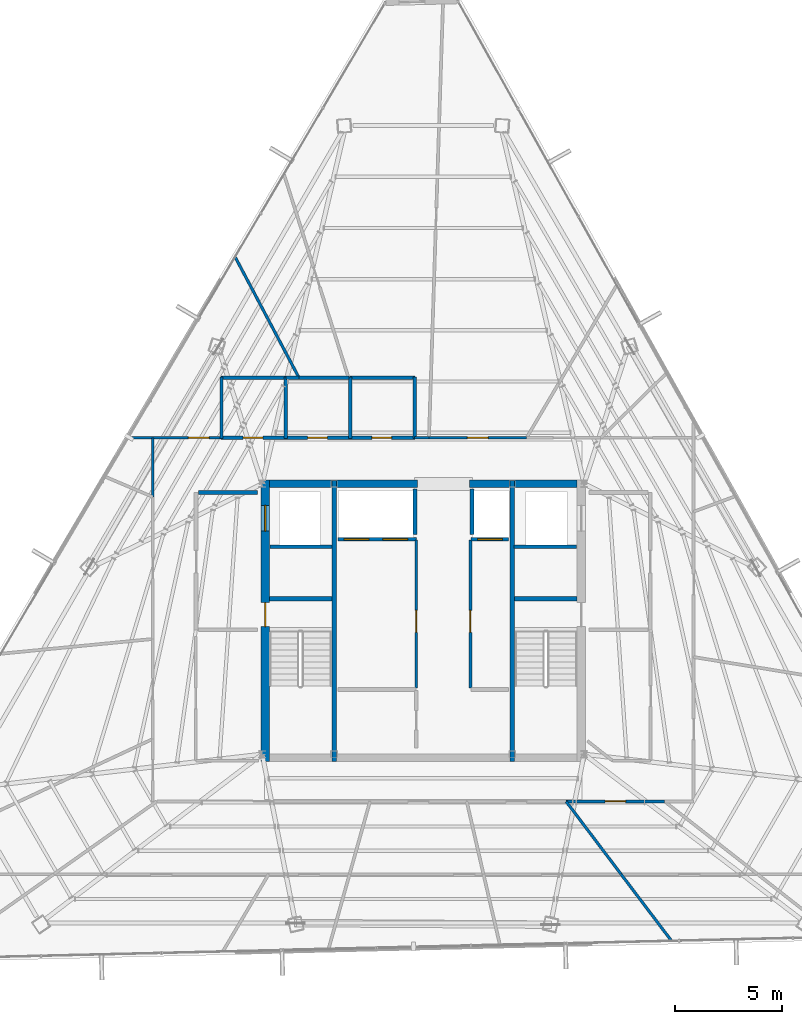
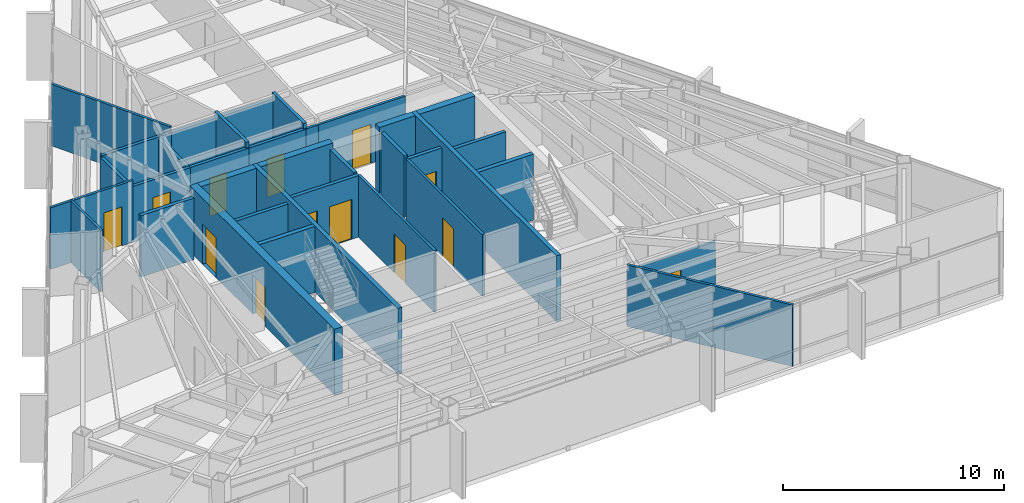
# One storey, part 41 of 45: 37 walls, 13 doors, 13 openings.
"""IFC4 building model written with IfcOpenShell, lengths in metres."""

from ifc_helpers import new_model, si_unit, direction, frame, frame_2d, origin, place, context, subcontext, project, spatial, rectangle, extrude, material, layer, layer_set, type_object, element, fill, save


model = new_model("IFC4")

# Units and contexts
model_context = context("Model", 3, precision=1e-05, world=origin(), true_north=direction((0.0, 1.0)))
body_context = subcontext(model_context, "Body", "Model", "MODEL_VIEW")
ifc_project = project(units=[si_unit("LENGTHUNIT", "METRE"), si_unit("AREAUNIT", "SQUARE_METRE"), si_unit("VOLUMEUNIT", "CUBIC_METRE"), si_unit("PLANEANGLEUNIT", "RADIAN"), si_unit("MASSUNIT", "GRAM", prefix="KILO")], contexts=[model_context])

# Site, building, storey
site_placement = place(None, origin())
site = spatial("IfcSite", under=ifc_project, at=site_placement, CompositionType="ELEMENT")
building_placement = place(site_placement, origin())
building = spatial("IfcBuilding", under=site, at=building_placement, Name="Caelisora Broadcast Tower", CompositionType="ELEMENT")
storey_placement = place(building_placement, frame((0.0, 0.0, 262.699951171875)))
storey = spatial("IfcBuildingStorey", under=building, at=storey_placement, Name="L69", CompositionType="ELEMENT", Elevation=262.699951171875)

# Wall, openings, doors
ifc_material_1 = material(Name="Concrete 40 MPa (AS 3600 N40)", Category="concrete")
ifc_layer_1 = layer(ifc_material_1, 0.39990234375, Name="Concrete 40 MPa (AS 3600 N40)")
ifc_layer_set_1 = layer_set([ifc_layer_1], Name="Concrete 40 MPa (AS 3600 N40)")
wall_type_1 = type_object("IfcWallType", Name="CW3", PredefinedType="SHEAR", material=ifc_layer_set_1)
wall_1_placement = place(storey_placement, frame((30.639892578125, 17.050048828125, 0.0), z_axis=(0.0, 0.0, 1.0), x_axis=(0.0, 1.0, 0.0)))
wall_1 = element("IfcWall", 1, at=wall_1_placement, inside=storey, type_object=wall_type_1, Name="L69 core shear wall CW3", PredefinedType="SHEAR", context=body_context, shape_type="SweptSolid", body=[
    extrude(rectangle(XDim=13.125, YDim=0.39990234375, at=frame_2d((6.5625, 0.0))), origin(), (0.0, 0.0, 1.0), 3.650146484375),
])
opening_1_placement = place(wall_1_placement, frame((6.300048828125, 0.0, 0.0)))
opening_1 = element("IfcOpeningElement", 2, at=opening_1_placement, cuts=wall_1, Name="Opening FD04", PredefinedType="OPENING", context=body_context, shape_type="SweptSolid", body=[
    extrude(rectangle(XDim=1.1201171875, YDim=2.14990234375, at=frame_2d((0.56005859375, 1.074951171875))), frame((0.0, 0.2119140625, 0.0), z_axis=(0.0, -1.0, 0.0), x_axis=(1.0, 0.0, 0.0)), (0.0, 0.0, 1.0), 0.423828125),
])
opening_2_placement = place(wall_1_placement, frame((10.75, 0.0, 0.0)))
opening_2 = element("IfcOpeningElement", 3, at=opening_2_placement, cuts=wall_1, Name="Opening LD04", PredefinedType="OPENING", context=body_context, shape_type="SweptSolid", body=[
    extrude(rectangle(XDim=1.199951171875, YDim=2.199951171875, at=frame_2d((0.60009765625, 1.10009765625))), frame((0.0, 0.2119140625, 0.0), z_axis=(0.0, -1.0, 0.0), x_axis=(1.0, 0.0, 0.0)), (0.0, 0.0, 1.0), 0.423828125),
])
ifc_material_2 = material(Name="Pressurised Fire-Isolated Stair Door", Category="steel")
door_type_1 = type_object("IfcDoorType", Name="FD04", OperationType="NOTDEFINED", PredefinedType="DOOR", material=ifc_material_2)
door_1_placement = place(opening_1_placement, origin())
door_1 = element("IfcDoor", 4, at=door_1_placement, inside=storey, type_object=door_type_1, Name="L69 door FD04 (L69-DR-ST1)", OperationType="SINGLE_SWING_LEFT", OverallHeight=2.14990234375, OverallWidth=1.1201171875, PredefinedType="DOOR", context=body_context, shape_type="SweptSolid", body=[
    extrude(rectangle(XDim=1.1201171875, YDim=2.14990234375, at=frame_2d((0.56005859375, 1.074951171875))), frame((0.0, 0.02490234375, 0.0), z_axis=(0.0, -1.0, 0.0), x_axis=(1.0, 0.0, 0.0)), (0.0, 0.0, 1.0), 0.050048828125),
])
fill(opening_1, door_1)
ifc_material_3 = material(Name="Emergency Firefighting Lift Sliding Landing Door", Category="steel")
door_type_2 = type_object("IfcDoorType", Name="LD04", OperationType="NOTDEFINED", PredefinedType="DOOR", material=ifc_material_3)
door_2_placement = place(opening_2_placement, origin())
door_2 = element("IfcDoor", 5, at=door_2_placement, inside=storey, type_object=door_type_2, Name="L69 door LD04 (L69-LD-FFL1)", OperationType="SLIDING_TO_LEFT", OverallHeight=2.199951171875, OverallWidth=1.199951171875, PredefinedType="DOOR", context=body_context, shape_type="SweptSolid", body=[
    extrude(rectangle(XDim=1.199951171875, YDim=2.199951171875, at=frame_2d((0.60009765625, 1.10009765625))), frame((0.0, 0.02490234375, 0.0), z_axis=(0.0, -1.0, 0.0), x_axis=(1.0, 0.0, 0.0)), (0.0, 0.0, 1.0), 0.050048828125),
])
fill(opening_2, door_2)

# Walls
ifc_layer_2 = layer(ifc_material_1, 0.35009765625, Name="Concrete 40 MPa (AS 3600 N40)")
ifc_layer_set_2 = layer_set([ifc_layer_2], Name="Concrete 40 MPa (AS 3600 N40)")
wall_type_2 = type_object("IfcWallType", Name="CW6", PredefinedType="SHEAR", material=ifc_layer_set_2)
wall_2_placement = place(storey_placement, frame((30.840087890625, 30.0, 0.0), z_axis=(0.0, 0.0, 1.0), x_axis=(1.0, 0.0, 0.0)))
element("IfcWall", 6, at=wall_2_placement, inside=storey, type_object=wall_type_2, Name="L69 core shear wall CW6", PredefinedType="SHEAR", context=body_context, shape_type="SweptSolid", body=[
    extrude(rectangle(XDim=2.89990234375, YDim=0.35009765625, at=frame_2d((1.449951171875, 0.0))), origin(), (0.0, 0.0, 1.0), 3.650146484375),
])
wall_3_placement = place(storey_placement, frame((33.9599609375, 30.0, 0.0), z_axis=(0.0, 0.0, 1.0), x_axis=(1.0, 0.0, 0.0)))
element("IfcWall", 7, at=wall_3_placement, inside=storey, type_object=wall_type_2, Name="L69 core shear wall CW6", PredefinedType="SHEAR", context=body_context, shape_type="SweptSolid", body=[
    extrude(rectangle(XDim=3.780029296875, YDim=0.35009765625, at=frame_2d((1.89013671875, 0.0))), origin(), (0.0, 0.0, 1.0), 3.650146484375),
])
wall_4_placement = place(storey_placement, frame((40.159912109375, 30.0, 0.0), z_axis=(0.0, 0.0, 1.0), x_axis=(1.0, 0.0, 0.0)))
element("IfcWall", 8, at=wall_4_placement, inside=storey, type_object=wall_type_2, Name="L69 core shear wall CW6", PredefinedType="SHEAR", context=body_context, shape_type="SweptSolid", body=[
    extrude(rectangle(XDim=1.880126953125, YDim=0.35009765625, at=frame_2d((0.93994140625, 0.0))), origin(), (0.0, 0.0, 1.0), 3.650146484375),
])
wall_5_placement = place(storey_placement, frame((42.260009765625, 30.0, 0.0), z_axis=(0.0, 0.0, 1.0), x_axis=(1.0, 0.0, 0.0)))
element("IfcWall", 9, at=wall_5_placement, inside=storey, type_object=wall_type_2, Name="L69 core shear wall CW6", PredefinedType="SHEAR", context=body_context, shape_type="SweptSolid", body=[
    extrude(rectangle(XDim=2.89990234375, YDim=0.35009765625, at=frame_2d((1.449951171875, 0.0))), origin(), (0.0, 0.0, 1.0), 3.650146484375),
])
ifc_material_4 = material(Name="Concrete 50 MPa (AS 3600 S50)", Category="concrete")
ifc_layer_3 = layer(ifc_material_4, 0.219970703125, Name="Concrete 50 MPa (AS 3600 S50)")
ifc_layer_set_3 = layer_set([ifc_layer_3], Name="Concrete 50 MPa (AS 3600 S50)")
wall_type_3 = type_object("IfcWallType", Name="CW7", PredefinedType="SHEAR", material=ifc_layer_set_3)
for number, where, z_axis, x_axis, name in (
    (10, (33.85009765625, 17.050048828125, 0.0), (0.0, 0.0, 1.0), (0.0, 1.0, 0.0), "L69 core shear wall CW7"),
    (11, (42.14990234375, 17.050048828125, 0.0), (0.0, 0.0, 1.0), (0.0, 1.0, 0.0), "L69 core shear wall CW7"),
):
    element("IfcWall", number, at=place(storey_placement, frame(where, z_axis=z_axis, x_axis=x_axis)), inside=storey, type_object=wall_type_3, Name=name, PredefinedType="SHEAR", context=body_context, shape_type="SweptSolid", body=[
        extrude(rectangle(XDim=13.125, YDim=0.219970703125, at=frame_2d((6.5625, 0.0))), origin(), (0.0, 0.0, 1.0), 3.650146484375),
    ])
for number, where, z_axis, x_axis, name in (
    (12, (30.840087890625, 24.639892578125, 0.0), (0.0, 0.0, 1.0), (1.0, 0.0, 0.0), "L69 core shear wall CW7"),
    (13, (42.260009765625, 24.639892578125, 0.0), (0.0, 0.0, 1.0), (1.0, 0.0, 0.0), "L69 core shear wall CW7"),
):
    element("IfcWall", number, at=place(storey_placement, frame(where, z_axis=z_axis, x_axis=x_axis)), inside=storey, type_object=wall_type_3, Name=name, PredefinedType="SHEAR", context=body_context, shape_type="SweptSolid", body=[
        extrude(rectangle(XDim=2.89990234375, YDim=0.219970703125, at=frame_2d((1.449951171875, 0.0))), origin(), (0.0, 0.0, 1.0), 3.650146484375),
    ])

# Wall, openings, doors
ifc_material_5 = material(Name="Fire-Rated Gypsum Shaft and Compartment Wall", Category="gypsum")
ifc_layer_4 = layer(ifc_material_5, 0.179931640625, Name="Fire-Rated Gypsum Shaft and Compartment Wall")
ifc_layer_set_4 = layer_set([ifc_layer_4], Name="Fire-Rated Gypsum Shaft and Compartment Wall")
wall_type_4 = type_object("IfcWallType", Name="PW2", PredefinedType="PARTITIONING", material=ifc_layer_set_4)
wall_6_placement = place(storey_placement, frame((34.02001953125, 27.419921875, 0.0), z_axis=(0.0, 0.0, 1.0), x_axis=(1.0, 0.0, 0.0)))
wall_6 = element("IfcWall", 14, at=wall_6_placement, inside=storey, type_object=wall_type_4, Name="L69 fire compartment wall PW2", PredefinedType="PARTITIONING", context=body_context, shape_type="SweptSolid", body=[
    extrude(rectangle(XDim=3.659912109375, YDim=0.179931640625, at=frame_2d((1.830078125, 0.0))), origin(), (0.0, 0.0, 1.0), 3.400146484375),
])
opening_3_placement = place(wall_6_placement, frame((0.300048828125, 0.0, 0.0)))
opening_3 = element("IfcOpeningElement", 15, at=opening_3_placement, cuts=wall_6, Name="Opening LD02", PredefinedType="OPENING", context=body_context, shape_type="SweptSolid", body=[
    extrude(rectangle(XDim=1.14990234375, YDim=2.199951171875, at=frame_2d((0.574951171875, 1.10009765625))), frame((0.0, 0.10205078125, 0.0), z_axis=(0.0, -1.0, 0.0), x_axis=(1.0, 0.0, 0.0)), (0.0, 0.0, 1.0), 0.203857421875),
])
opening_4_placement = place(wall_6_placement, frame((2.10009765625, 0.0, 0.0)))
opening_4 = element("IfcOpeningElement", 16, at=opening_4_placement, cuts=wall_6, Name="Opening LD02", PredefinedType="OPENING", context=body_context, shape_type="SweptSolid", body=[
    extrude(rectangle(XDim=1.14990234375, YDim=2.199951171875, at=frame_2d((0.574951171875, 1.10009765625))), frame((0.0, 0.10205078125, 0.0), z_axis=(0.0, -1.0, 0.0), x_axis=(1.0, 0.0, 0.0)), (0.0, 0.0, 1.0), 0.203857421875),
])
ifc_material_6 = material(Name="High-Speed Express Lift Sliding Landing Door", Category="steel")
door_type_3 = type_object("IfcDoorType", Name="LD02", OperationType="NOTDEFINED", PredefinedType="DOOR", material=ifc_material_6)
door_3_placement = place(opening_3_placement, origin())
door_3 = element("IfcDoor", 17, at=door_3_placement, inside=storey, type_object=door_type_3, Name="L69 door LD02 (L69-LD-PLH1)", OperationType="SLIDING_TO_RIGHT", OverallHeight=2.199951171875, OverallWidth=1.14990234375, PredefinedType="DOOR", context=body_context, shape_type="SweptSolid", body=[
    extrude(rectangle(XDim=1.14990234375, YDim=2.199951171875, at=frame_2d((0.574951171875, 1.10009765625))), frame((0.0, 0.02490234375, 0.0), z_axis=(0.0, -1.0, 0.0), x_axis=(1.0, 0.0, 0.0)), (0.0, 0.0, 1.0), 0.050048828125),
])
fill(opening_3, door_3)
door_4_placement = place(opening_4_placement, origin())
door_4 = element("IfcDoor", 18, at=door_4_placement, inside=storey, type_object=door_type_3, Name="L69 door LD02 (L69-LD-PLH2)", OperationType="SLIDING_TO_LEFT", OverallHeight=2.199951171875, OverallWidth=1.14990234375, PredefinedType="DOOR", context=body_context, shape_type="SweptSolid", body=[
    extrude(rectangle(XDim=1.14990234375, YDim=2.199951171875, at=frame_2d((0.574951171875, 1.10009765625))), frame((0.0, 0.02490234375, 0.0), z_axis=(0.0, -1.0, 0.0), x_axis=(1.0, 0.0, 0.0)), (0.0, 0.0, 1.0), 0.050048828125),
])
fill(opening_4, door_4)

# Wall, opening, door
wall_7_placement = place(storey_placement, frame((40.219970703125, 27.419921875, 0.0), z_axis=(0.0, 0.0, 1.0), x_axis=(1.0, 0.0, 0.0)))
wall_7 = element("IfcWall", 19, at=wall_7_placement, inside=storey, type_object=wall_type_4, Name="L69 fire compartment wall PW2", PredefinedType="PARTITIONING", context=body_context, shape_type="SweptSolid", body=[
    extrude(rectangle(XDim=1.760009765625, YDim=0.179931640625, at=frame_2d((0.8798828125, 0.0))), origin(), (0.0, 0.0, 1.0), 3.400146484375),
])
opening_5_placement = place(wall_7_placement, frame((0.320068359375, 0.0, 0.0)))
opening_5 = element("IfcOpeningElement", 20, at=opening_5_placement, cuts=wall_7, Name="Opening LD02", PredefinedType="OPENING", context=body_context, shape_type="SweptSolid", body=[
    extrude(rectangle(XDim=1.14990234375, YDim=2.199951171875, at=frame_2d((0.574951171875, 1.10009765625))), frame((0.0, 0.10205078125, 0.0), z_axis=(0.0, -1.0, 0.0), x_axis=(1.0, 0.0, 0.0)), (0.0, 0.0, 1.0), 0.203857421875),
])
door_5_placement = place(opening_5_placement, origin())
door_5 = element("IfcDoor", 21, at=door_5_placement, inside=storey, type_object=door_type_3, Name="L69 door LD02 (L69-LD-PLH3)", OperationType="SLIDING_TO_RIGHT", OverallHeight=2.199951171875, OverallWidth=1.14990234375, PredefinedType="DOOR", context=body_context, shape_type="SweptSolid", body=[
    extrude(rectangle(XDim=1.14990234375, YDim=2.199951171875, at=frame_2d((0.574951171875, 1.10009765625))), frame((0.0, 0.02490234375, 0.0), z_axis=(0.0, -1.0, 0.0), x_axis=(1.0, 0.0, 0.0)), (0.0, 0.0, 1.0), 0.050048828125),
])
fill(opening_5, door_5)

# Walls
for number, where, z_axis, x_axis, name in (
    (22, (37.6201171875, 27.639892578125, 0.0), (0.0, 0.0, 1.0), (0.0, 1.0, 0.0), "L69 fire compartment wall PW2"),
    (23, (40.280029296875, 27.639892578125, 0.0), (0.0, 0.0, 1.0), (0.0, 1.0, 0.0), "L69 fire compartment wall PW2"),
):
    element("IfcWall", number, at=place(storey_placement, frame(where, z_axis=z_axis, x_axis=x_axis)), inside=storey, type_object=wall_type_4, Name=name, PredefinedType="PARTITIONING", context=body_context, shape_type="SweptSolid", body=[
        extrude(rectangle(XDim=2.110107421875, YDim=0.179931640625, at=frame_2d((1.05517578125, 0.0))), origin(), (0.0, 0.0, 1.0), 3.400146484375),
    ])
wall_8_placement = place(storey_placement, frame((27.52001953125, 29.60009765625, 0.0), z_axis=(0.0, 0.0, 1.0), x_axis=(1.0, 0.0, 0.0)))
element("IfcWall", 24, at=wall_8_placement, inside=storey, type_object=wall_type_4, Name="L69 fire compartment wall PW2", PredefinedType="PARTITIONING", context=body_context, shape_type="SweptSolid", body=[
    extrude(rectangle(XDim=2.760009765625, YDim=0.179931640625, at=frame_2d((1.3798828125, 0.0))), origin(), (0.0, 0.0, 1.0), 3.400146484375),
])
for number, where, z_axis, x_axis, name in (
    (25, (30.860107421875, 27.070068359375, 0.0), (0.0, 0.0, 1.0), (1.0, 0.0, 0.0), "L69 fire compartment wall PW2"),
    (26, (42.239990234375, 27.070068359375, 0.0), (0.0, 0.0, 1.0), (1.0, 0.0, 0.0), "L69 fire compartment wall PW2"),
):
    element("IfcWall", number, at=place(storey_placement, frame(where, z_axis=z_axis, x_axis=x_axis)), inside=storey, type_object=wall_type_4, Name=name, PredefinedType="PARTITIONING", context=body_context, shape_type="SweptSolid", body=[
        extrude(rectangle(XDim=2.89990234375, YDim=0.179931640625, at=frame_2d((1.449951171875, 0.0))), origin(), (0.0, 0.0, 1.0), 3.400146484375),
    ])

# Wall, opening, door
ifc_material_7 = material(Name="Acoustic Steel-Stud Plasterboard Partition", Category="gypsum")
ifc_layer_5 = layer(ifc_material_7, 0.1298828125, Name="Acoustic Steel-Stud Plasterboard Partition")
ifc_layer_set_5 = layer_set([ifc_layer_5], Name="Acoustic Steel-Stud Plasterboard Partition")
wall_type_5 = type_object("IfcWallType", Name="PW3", PredefinedType="PARTITIONING", material=ifc_layer_set_5)
wall_9_placement = place(storey_placement, frame((37.679931640625, 20.47998046875, 0.0), z_axis=(0.0, 0.0, 1.0), x_axis=(0.0, 1.0, 0.0)))
wall_9 = element("IfcWall", 27, at=wall_9_placement, inside=storey, type_object=wall_type_5, Name="L69 internal partition PW3", PredefinedType="PARTITIONING", context=body_context, shape_type="SweptSolid", body=[
    extrude(rectangle(XDim=6.89990234375, YDim=0.1298828125, at=frame_2d((3.449951171875, 0.0))), origin(), (0.0, 0.0, 1.0), 3.400146484375),
])
opening_6_placement = place(wall_9_placement, frame((2.60009765625, 0.0, 0.0)))
opening_6 = element("IfcOpeningElement", 28, at=opening_6_placement, cuts=wall_9, Name="Opening D02", PredefinedType="OPENING", context=body_context, shape_type="SweptSolid", body=[
    extrude(rectangle(XDim=1.02001953125, YDim=2.14990234375, at=frame_2d((0.510009765625, 1.074951171875))), frame((0.0, 0.076904296875, 0.0), z_axis=(0.0, -1.0, 0.0), x_axis=(1.0, 0.0, 0.0)), (0.0, 0.0, 1.0), 0.15380859375),
])
ifc_material_8 = material(Name="Solid-Core Timber Archive Suite Door", Category="wood")
door_type_4 = type_object("IfcDoorType", Name="D02", OperationType="NOTDEFINED", PredefinedType="DOOR", material=ifc_material_8)
door_6_placement = place(opening_6_placement, origin())
door_6 = element("IfcDoor", 29, at=door_6_placement, inside=storey, type_object=door_type_4, Name="L69 door D02 (L69-DR-P11D1)", OperationType="SINGLE_SWING_LEFT", OverallHeight=2.14990234375, OverallWidth=1.02001953125, PredefinedType="DOOR", context=body_context, shape_type="SweptSolid", body=[
    extrude(rectangle(XDim=1.02001953125, YDim=2.14990234375, at=frame_2d((0.510009765625, 1.074951171875))), frame((0.0, 0.02490234375, 0.0), z_axis=(0.0, -1.0, 0.0), x_axis=(1.0, 0.0, 0.0)), (0.0, 0.0, 1.0), 0.050048828125),
])
fill(opening_6, door_6)

wall_10_placement = place(storey_placement, frame((40.199951171875, 20.47998046875, 0.0), z_axis=(0.0, 0.0, 1.0), x_axis=(0.0, 1.0, 0.0)))
wall_10 = element("IfcWall", 30, at=wall_10_placement, inside=storey, type_object=wall_type_5, Name="L69 internal partition PW3", PredefinedType="PARTITIONING", context=body_context, shape_type="SweptSolid", body=[
    extrude(rectangle(XDim=6.89990234375, YDim=0.1298828125, at=frame_2d((3.449951171875, 0.0))), origin(), (0.0, 0.0, 1.0), 3.400146484375),
])
opening_7_placement = place(wall_10_placement, frame((2.60009765625, 0.0, 0.0)))
opening_7 = element("IfcOpeningElement", 31, at=opening_7_placement, cuts=wall_10, Name="Opening D02", PredefinedType="OPENING", context=body_context, shape_type="SweptSolid", body=[
    extrude(rectangle(XDim=1.02001953125, YDim=2.14990234375, at=frame_2d((0.510009765625, 1.074951171875))), frame((0.0, 0.076904296875, 0.0), z_axis=(0.0, -1.0, 0.0), x_axis=(1.0, 0.0, 0.0)), (0.0, 0.0, 1.0), 0.15380859375),
])
door_7_placement = place(opening_7_placement, origin())
door_7 = element("IfcDoor", 32, at=door_7_placement, inside=storey, type_object=door_type_4, Name="L69 door D02 (L69-DR-P12D1)", OperationType="SINGLE_SWING_RIGHT", OverallHeight=2.14990234375, OverallWidth=1.02001953125, PredefinedType="DOOR", context=body_context, shape_type="SweptSolid", body=[
    extrude(rectangle(XDim=1.02001953125, YDim=2.14990234375, at=frame_2d((0.510009765625, 1.074951171875))), frame((0.0, 0.02490234375, 0.0), z_axis=(0.0, -1.0, 0.0), x_axis=(1.0, 0.0, 0.0)), (0.0, 0.0, 1.0), 0.050048828125),
])
fill(opening_7, door_7)

# Wall
wall_11_placement = place(storey_placement, frame((29.23291015625, 40.580078125, 0.0), z_axis=(0.0, 0.0, 1.0), x_axis=(0.467475229749, -0.884006170551, 0.0)))
element("IfcWall", 33, at=wall_11_placement, inside=storey, type_object=wall_type_5, Name="L69 internal partition PW3", PredefinedType="PARTITIONING", context=body_context, shape_type="SweptSolid", body=[
    extrude(rectangle(XDim=6.3642578125, YDim=0.1298828125, at=frame_2d((3.18212890625, 0.0))), origin(), (0.0, 0.0, 1.0), 3.400146484375),
])

# Wall, opening, door
wall_12_placement = place(storey_placement, frame((44.6650390625, 15.199951171875, 0.0), z_axis=(0.0, 0.0, 1.0), x_axis=(1.0, 0.0, 0.0)))
wall_12 = element("IfcWall", 34, at=wall_12_placement, inside=storey, type_object=wall_type_5, Name="L69 internal partition PW3", PredefinedType="PARTITIONING", context=body_context, shape_type="SweptSolid", body=[
    extrude(rectangle(XDim=4.580078125, YDim=0.1298828125, at=frame_2d((2.2900390625, 0.0))), origin(), (0.0, 0.0, 1.0), 3.0849609375),
])
opening_8_placement = place(wall_12_placement, frame((1.81005859375, 0.0, 0.0)))
opening_8 = element("IfcOpeningElement", 35, at=opening_8_placement, cuts=wall_12, Name="Opening D01", PredefinedType="OPENING", context=body_context, shape_type="SweptSolid", body=[
    extrude(rectangle(XDim=0.9599609375, YDim=2.14990234375, at=frame_2d((0.47998046875, 1.074951171875))), frame((0.0, 0.076904296875, 0.0), z_axis=(0.0, -1.0, 0.0), x_axis=(1.0, 0.0, 0.0)), (0.0, 0.0, 1.0), 0.15380859375),
])
ifc_material_9 = material(Name="Solid-Core Timber Acoustic Office Door", Category="wood")
door_type_5 = type_object("IfcDoorType", Name="D01", OperationType="NOTDEFINED", PredefinedType="DOOR", material=ifc_material_9)
door_8_placement = place(opening_8_placement, origin())
door_8 = element("IfcDoor", 36, at=door_8_placement, inside=storey, type_object=door_type_5, Name="L69 door D01 (L69-DR-P52D1)", OperationType="SINGLE_SWING_LEFT", OverallHeight=2.14990234375, OverallWidth=0.9599609375, PredefinedType="DOOR", context=body_context, shape_type="SweptSolid", body=[
    extrude(rectangle(XDim=0.9599609375, YDim=2.14990234375, at=frame_2d((0.47998046875, 1.074951171875))), frame((0.0, 0.02490234375, 0.0), z_axis=(0.0, -1.0, 0.0), x_axis=(1.0, 0.0, 0.0)), (0.0, 0.0, 1.0), 0.050048828125),
])
fill(opening_8, door_8)

wall_13_placement = place(storey_placement, frame((38.27490234375, 32.14990234375, 0.0), z_axis=(0.0, 0.0, 1.0), x_axis=(1.0, 0.0, 0.0)))
wall_13 = element("IfcWall", 37, at=wall_13_placement, inside=storey, type_object=wall_type_5, Name="L69 internal partition PW3", PredefinedType="PARTITIONING", context=body_context, shape_type="SweptSolid", body=[
    extrude(rectangle(XDim=4.5400390625, YDim=0.1298828125, at=frame_2d((2.27001953125, 0.0))), origin(), (0.0, 0.0, 1.0), 3.0849609375),
])
opening_9_placement = place(wall_13_placement, frame((1.7900390625, 0.0, 0.0)))
opening_9 = element("IfcOpeningElement", 38, at=opening_9_placement, cuts=wall_13, Name="Opening D01", PredefinedType="OPENING", context=body_context, shape_type="SweptSolid", body=[
    extrude(rectangle(XDim=0.9599609375, YDim=2.14990234375, at=frame_2d((0.47998046875, 1.074951171875))), frame((0.0, 0.076904296875, 0.0), z_axis=(0.0, -1.0, 0.0), x_axis=(1.0, 0.0, 0.0)), (0.0, 0.0, 1.0), 0.15380859375),
])
door_9_placement = place(opening_9_placement, origin())
door_9 = element("IfcDoor", 39, at=door_9_placement, inside=storey, type_object=door_type_5, Name="L69 door D01 (L69-DR-P53D1)", OperationType="SINGLE_SWING_RIGHT", OverallHeight=2.14990234375, OverallWidth=0.9599609375, PredefinedType="DOOR", context=body_context, shape_type="SweptSolid", body=[
    extrude(rectangle(XDim=0.9599609375, YDim=2.14990234375, at=frame_2d((0.47998046875, 1.074951171875))), frame((0.0, 0.02490234375, 0.0), z_axis=(0.0, -1.0, 0.0), x_axis=(1.0, 0.0, 0.0)), (0.0, 0.0, 1.0), 0.050048828125),
])
fill(opening_9, door_9)

# Walls
wall_14_placement = place(storey_placement, frame((44.6630859375, 15.196044921875, 0.0), z_axis=(0.0, 0.0, 1.0), x_axis=(0.602623630686, -0.798025538275, 0.0)))
element("IfcWall", 40, at=wall_14_placement, inside=storey, type_object=wall_type_5, Name="L69 internal partition PW3", PredefinedType="PARTITIONING", context=body_context, shape_type="SweptSolid", body=[
    extrude(rectangle(XDim=4.238037109375, YDim=0.1298828125, at=frame_2d((2.119140625, 0.0))), origin(), (0.0, 0.0, 1.0), 3.400146484375),
])
wall_15_placement = place(storey_placement, frame((47.222900390625, 11.805908203125, 0.0), z_axis=(0.0, 0.0, 1.0), x_axis=(0.60360488917, -0.797283599336, 0.0)))
element("IfcWall", 41, at=wall_15_placement, inside=storey, type_object=wall_type_5, Name="L69 internal partition PW3", PredefinedType="PARTITIONING", context=body_context, shape_type="SweptSolid", body=[
    extrude(rectangle(XDim=3.9052734375, YDim=0.1298828125, at=frame_2d((1.95263671875, 0.0))), origin(), (0.0, 0.0, 1.0), 3.400146484375),
])

# Wall, opening, door
wall_16_placement = place(storey_placement, frame((24.2802734375, 32.14990234375, 0.0), z_axis=(0.0, 0.0, 1.0), x_axis=(1.0, 0.0, 0.0)))
wall_16 = element("IfcWall", 42, at=wall_16_placement, inside=storey, type_object=wall_type_5, Name="L69 internal partition PW3", PredefinedType="PARTITIONING", context=body_context, shape_type="SweptSolid", body=[
    extrude(rectangle(XDim=4.314697265625, YDim=0.1298828125, at=frame_2d((2.1572265625, 0.0))), origin(), (0.0, 0.0, 1.0), 3.400146484375),
])
opening_10_placement = place(wall_16_placement, frame((2.780029296875, 0.0, 0.0)))
opening_10 = element("IfcOpeningElement", 43, at=opening_10_placement, cuts=wall_16, Name="Opening D01", PredefinedType="OPENING", context=body_context, shape_type="SweptSolid", body=[
    extrude(rectangle(XDim=0.9599609375, YDim=2.14990234375, at=frame_2d((0.47998046875, 1.074951171875))), frame((0.0, 0.076904296875, 0.0), z_axis=(0.0, -1.0, 0.0), x_axis=(1.0, 0.0, 0.0)), (0.0, 0.0, 1.0), 0.15380859375),
])
door_10_placement = place(opening_10_placement, origin())
door_10 = element("IfcDoor", 44, at=door_10_placement, inside=storey, type_object=door_type_5, Name="L69 door D01 (L69-DR-P67D1)", OperationType="SINGLE_SWING_LEFT", OverallHeight=2.14990234375, OverallWidth=0.9599609375, PredefinedType="DOOR", context=body_context, shape_type="SweptSolid", body=[
    extrude(rectangle(XDim=0.9599609375, YDim=2.14990234375, at=frame_2d((0.47998046875, 1.074951171875))), frame((0.0, 0.02490234375, 0.0), z_axis=(0.0, -1.0, 0.0), x_axis=(1.0, 0.0, 0.0)), (0.0, 0.0, 1.0), 0.050048828125),
])
fill(opening_10, door_10)

# Walls
wall_17_placement = place(storey_placement, frame((25.39990234375, 29.39501953125, 0.0), z_axis=(0.0, 0.0, 1.0), x_axis=(0.0, 1.0, 0.0)))
element("IfcWall", 45, at=wall_17_placement, inside=storey, type_object=wall_type_5, Name="L69 internal partition PW3", PredefinedType="PARTITIONING", context=body_context, shape_type="SweptSolid", body=[
    extrude(rectangle(XDim=2.75, YDim=0.1298828125, at=frame_2d((1.375, 0.0))), origin(), (0.0, 0.0, 1.0), 3.400146484375),
])
wall_18_placement = place(storey_placement, frame((37.60498046875, 32.14990234375, 0.0), z_axis=(0.0, 0.0, 1.0), x_axis=(1.0, 0.0, 0.0)))
element("IfcWall", 46, at=wall_18_placement, inside=storey, type_object=wall_type_5, Name="L69 internal partition PW3", PredefinedType="PARTITIONING", context=body_context, shape_type="SweptSolid", body=[
    extrude(rectangle(XDim=0.659912109375, YDim=0.1298828125, at=frame_2d((0.330078125, 0.0))), origin(), (0.0, 0.0, 1.0), 3.0849609375),
])

# Wall, opening, door
ifc_material_10 = material(Name="Moisture-Resistant Wet Plumbing Service Wall", Category="gypsum")
ifc_layer_6 = layer(ifc_material_10, 0.159912109375, Name="Moisture-Resistant Wet Plumbing Service Wall")
ifc_layer_set_6 = layer_set([ifc_layer_6], Name="Moisture-Resistant Wet Plumbing Service Wall")
wall_type_6 = type_object("IfcWallType", Name="PW4", PredefinedType="PLUMBINGWALL", material=ifc_layer_set_6)
wall_19_placement = place(storey_placement, frame((28.574951171875, 32.14990234375, 0.0), z_axis=(0.0, 0.0, 1.0), x_axis=(1.0, 0.0, 0.0)))
wall_19 = element("IfcWall", 47, at=wall_19_placement, inside=storey, type_object=wall_type_6, Name="L69 wet plumbing wall PW4", PredefinedType="PLUMBINGWALL", context=body_context, shape_type="SweptSolid", body=[
    extrude(rectangle(XDim=3.050048828125, YDim=0.159912109375, at=frame_2d((1.52490234375, 0.0))), origin(), (0.0, 0.0, 1.0), 3.0849609375),
])
opening_11_placement = place(wall_19_placement, frame((1.034912109375, 0.0, 0.0)))
opening_11 = element("IfcOpeningElement", 48, at=opening_11_placement, cuts=wall_19, Name="Opening D03", PredefinedType="OPENING", context=body_context, shape_type="SweptSolid", body=[
    extrude(rectangle(XDim=0.919921875, YDim=2.10009765625, at=frame_2d((0.4599609375, 1.050048828125))), frame((0.0, 0.092041015625, 0.0), z_axis=(0.0, -1.0, 0.0), x_axis=(1.0, 0.0, 0.0)), (0.0, 0.0, 1.0), 0.183837890625),
])
ifc_material_11 = material(Name="Laminate Moisture-Resistant Amenity WC Door", Category="wood")
door_type_6 = type_object("IfcDoorType", Name="D03", OperationType="NOTDEFINED", PredefinedType="DOOR", material=ifc_material_11)
door_11_placement = place(opening_11_placement, origin())
door_11 = element("IfcDoor", 49, at=door_11_placement, inside=storey, type_object=door_type_6, Name="L69 door D03 (L69-DR-P14D1)", OperationType="SINGLE_SWING_RIGHT", OverallHeight=2.10009765625, OverallWidth=0.919921875, PredefinedType="DOOR", context=body_context, shape_type="SweptSolid", body=[
    extrude(rectangle(XDim=0.919921875, YDim=2.10009765625, at=frame_2d((0.4599609375, 1.050048828125))), frame((0.0, 0.02490234375, 0.0), z_axis=(0.0, -1.0, 0.0), x_axis=(1.0, 0.0, 0.0)), (0.0, 0.0, 1.0), 0.050048828125),
])
fill(opening_11, door_11)

wall_20_placement = place(storey_placement, frame((31.574951171875, 32.14990234375, 0.0), z_axis=(0.0, 0.0, 1.0), x_axis=(1.0, 0.0, 0.0)))
wall_20 = element("IfcWall", 50, at=wall_20_placement, inside=storey, type_object=wall_type_6, Name="L69 wet plumbing wall PW4", PredefinedType="PLUMBINGWALL", context=body_context, shape_type="SweptSolid", body=[
    extrude(rectangle(XDim=3.050048828125, YDim=0.159912109375, at=frame_2d((1.52490234375, 0.0))), origin(), (0.0, 0.0, 1.0), 3.0849609375),
])
opening_12_placement = place(wall_20_placement, frame((1.034912109375, 0.0, 0.0)))
opening_12 = element("IfcOpeningElement", 51, at=opening_12_placement, cuts=wall_20, Name="Opening D03", PredefinedType="OPENING", context=body_context, shape_type="SweptSolid", body=[
    extrude(rectangle(XDim=0.919921875, YDim=2.10009765625, at=frame_2d((0.4599609375, 1.050048828125))), frame((0.0, 0.092041015625, 0.0), z_axis=(0.0, -1.0, 0.0), x_axis=(1.0, 0.0, 0.0)), (0.0, 0.0, 1.0), 0.183837890625),
])
door_12_placement = place(opening_12_placement, origin())
door_12 = element("IfcDoor", 52, at=door_12_placement, inside=storey, type_object=door_type_6, Name="L69 door D03 (L69-DR-P15D1)", OperationType="SINGLE_SWING_LEFT", OverallHeight=2.10009765625, OverallWidth=0.919921875, PredefinedType="DOOR", context=body_context, shape_type="SweptSolid", body=[
    extrude(rectangle(XDim=0.919921875, YDim=2.10009765625, at=frame_2d((0.4599609375, 1.050048828125))), frame((0.0, 0.02490234375, 0.0), z_axis=(0.0, -1.0, 0.0), x_axis=(1.0, 0.0, 0.0)), (0.0, 0.0, 1.0), 0.050048828125),
])
fill(opening_12, door_12)

wall_21_placement = place(storey_placement, frame((34.574951171875, 32.14990234375, 0.0), z_axis=(0.0, 0.0, 1.0), x_axis=(1.0, 0.0, 0.0)))
wall_21 = element("IfcWall", 53, at=wall_21_placement, inside=storey, type_object=wall_type_6, Name="L69 wet plumbing wall PW4", PredefinedType="PLUMBINGWALL", context=body_context, shape_type="SweptSolid", body=[
    extrude(rectangle(XDim=3.050048828125, YDim=0.159912109375, at=frame_2d((1.52490234375, 0.0))), origin(), (0.0, 0.0, 1.0), 3.0849609375),
])
opening_13_placement = place(wall_21_placement, frame((1.034912109375, 0.0, 0.0)))
opening_13 = element("IfcOpeningElement", 54, at=opening_13_placement, cuts=wall_21, Name="Opening D03", PredefinedType="OPENING", context=body_context, shape_type="SweptSolid", body=[
    extrude(rectangle(XDim=0.919921875, YDim=2.10009765625, at=frame_2d((0.4599609375, 1.050048828125))), frame((0.0, 0.092041015625, 0.0), z_axis=(0.0, -1.0, 0.0), x_axis=(1.0, 0.0, 0.0)), (0.0, 0.0, 1.0), 0.183837890625),
])
door_13_placement = place(opening_13_placement, origin())
door_13 = element("IfcDoor", 55, at=door_13_placement, inside=storey, type_object=door_type_6, Name="L69 door D03 (L69-DR-P16D1)", OperationType="SINGLE_SWING_RIGHT", OverallHeight=2.10009765625, OverallWidth=0.919921875, PredefinedType="DOOR", context=body_context, shape_type="SweptSolid", body=[
    extrude(rectangle(XDim=0.919921875, YDim=2.10009765625, at=frame_2d((0.4599609375, 1.050048828125))), frame((0.0, 0.02490234375, 0.0), z_axis=(0.0, -1.0, 0.0), x_axis=(1.0, 0.0, 0.0)), (0.0, 0.0, 1.0), 0.050048828125),
])
fill(opening_13, door_13)

# Walls
for number, where, z_axis, x_axis, name in (
    (56, (28.574951171875, 34.949951171875, 0.0), (0.0, 0.0, 1.0), (1.0, 0.0, 0.0), "L69 wet plumbing wall PW4"),
    (57, (37.625, 34.949951171875, 0.0), (0.0, 0.0, 1.0), (-1.0, 0.0, 0.0), "L69 wet plumbing wall PW4"),
):
    element("IfcWall", number, at=place(storey_placement, frame(where, z_axis=z_axis, x_axis=x_axis)), inside=storey, type_object=wall_type_6, Name=name, PredefinedType="PLUMBINGWALL", context=body_context, shape_type="SweptSolid", body=[
        extrude(rectangle(XDim=3.050048828125, YDim=0.159912109375, at=frame_2d((1.52490234375, 0.0))), origin(), (0.0, 0.0, 1.0), 3.0849609375),
    ])
for number, where, z_axis, x_axis, name in (
    (58, (31.60009765625, 32.125, 0.0), (0.0, 0.0, 1.0), (0.0, 1.0, 0.0), "L69 wet plumbing wall PW4"),
    (59, (28.60009765625, 32.125, 0.0), (0.0, 0.0, 1.0), (0.0, 1.0, 0.0), "L69 wet plumbing wall PW4"),
):
    element("IfcWall", number, at=place(storey_placement, frame(where, z_axis=z_axis, x_axis=x_axis)), inside=storey, type_object=wall_type_6, Name=name, PredefinedType="PLUMBINGWALL", context=body_context, shape_type="SweptSolid", body=[
        extrude(rectangle(XDim=2.85009765625, YDim=0.159912109375, at=frame_2d((1.425048828125, 0.0))), origin(), (0.0, 0.0, 1.0), 2.985107421875),
    ])
for number, where, z_axis, x_axis, name in (
    (60, (34.60009765625, 32.125, 0.0), (0.0, 0.0, 1.0), (0.0, 1.0, 0.0), "L69 wet plumbing wall PW4"),
    (61, (37.60009765625, 32.125, 0.0), (0.0, 0.0, 1.0), (0.0, 1.0, 0.0), "L69 wet plumbing wall PW4"),
):
    element("IfcWall", number, at=place(storey_placement, frame(where, z_axis=z_axis, x_axis=x_axis)), inside=storey, type_object=wall_type_6, Name=name, PredefinedType="PLUMBINGWALL", context=body_context, shape_type="SweptSolid", body=[
        extrude(rectangle(XDim=2.85009765625, YDim=0.159912109375, at=frame_2d((1.425048828125, 0.0))), origin(), (0.0, 0.0, 1.0), 3.400146484375),
    ])
wall_22_placement = place(storey_placement, frame((32.18505859375, 34.949951171875, 0.0), z_axis=(0.0, 0.0, 1.0), x_axis=(1.0, 0.0, 0.0)))
element("IfcWall", 62, at=wall_22_placement, inside=storey, type_object=wall_type_6, Name="L69 wet plumbing wall PW4", PredefinedType="PLUMBINGWALL", context=body_context, shape_type="SweptSolid", body=[
    extrude(rectangle(XDim=2.35986328125, YDim=0.159912109375, at=frame_2d((1.179931640625, 0.0))), origin(), (0.0, 0.0, 1.0), 3.0849609375),
])
wall_23_placement = place(storey_placement, frame((31.60498046875, 34.949951171875, 0.0), z_axis=(0.0, 0.0, 1.0), x_axis=(1.0, 0.0, 0.0)))
element("IfcWall", 63, at=wall_23_placement, inside=storey, type_object=wall_type_6, Name="L69 wet plumbing wall PW4", PredefinedType="PLUMBINGWALL", context=body_context, shape_type="SweptSolid", body=[
    extrude(rectangle(XDim=0.60009765625, YDim=0.159912109375, at=frame_2d((0.300048828125, 0.0))), origin(), (0.0, 0.0, 1.0), 3.0849609375),
])

save(model, "model.ifc")
